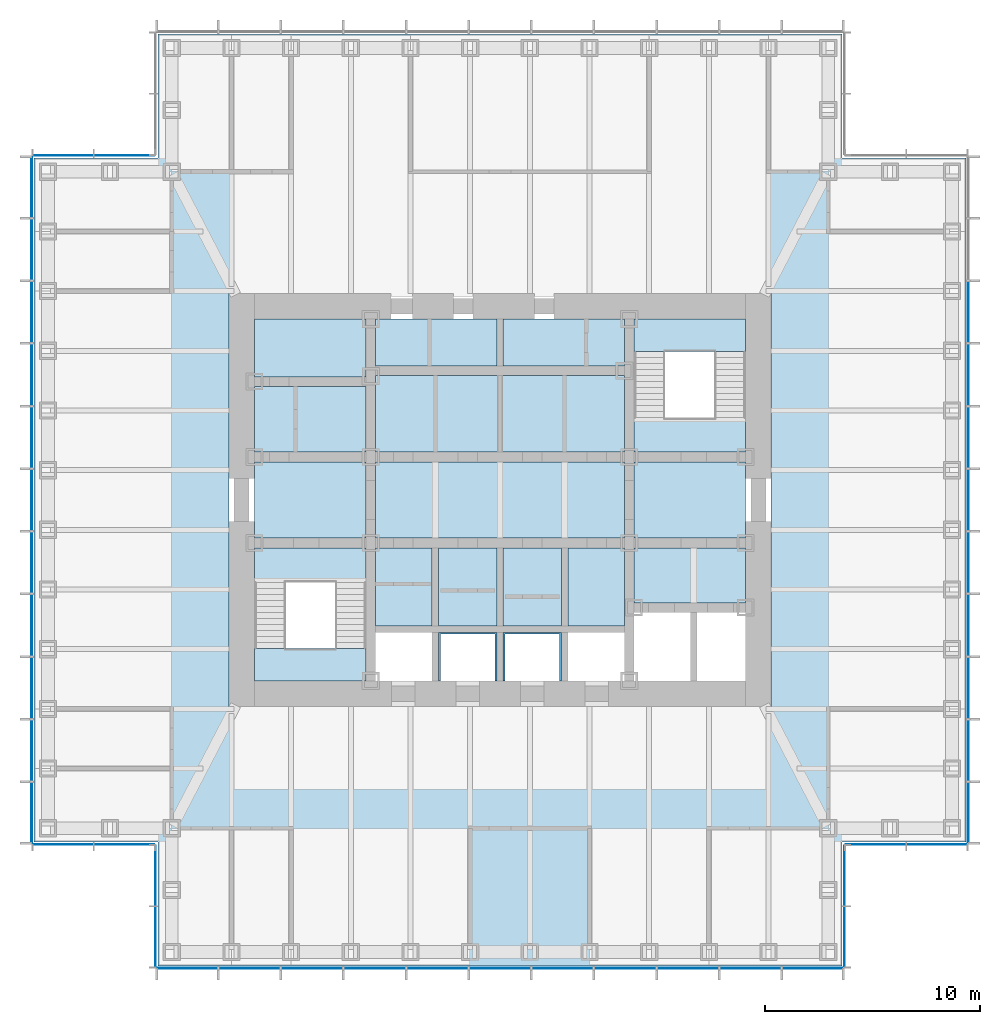
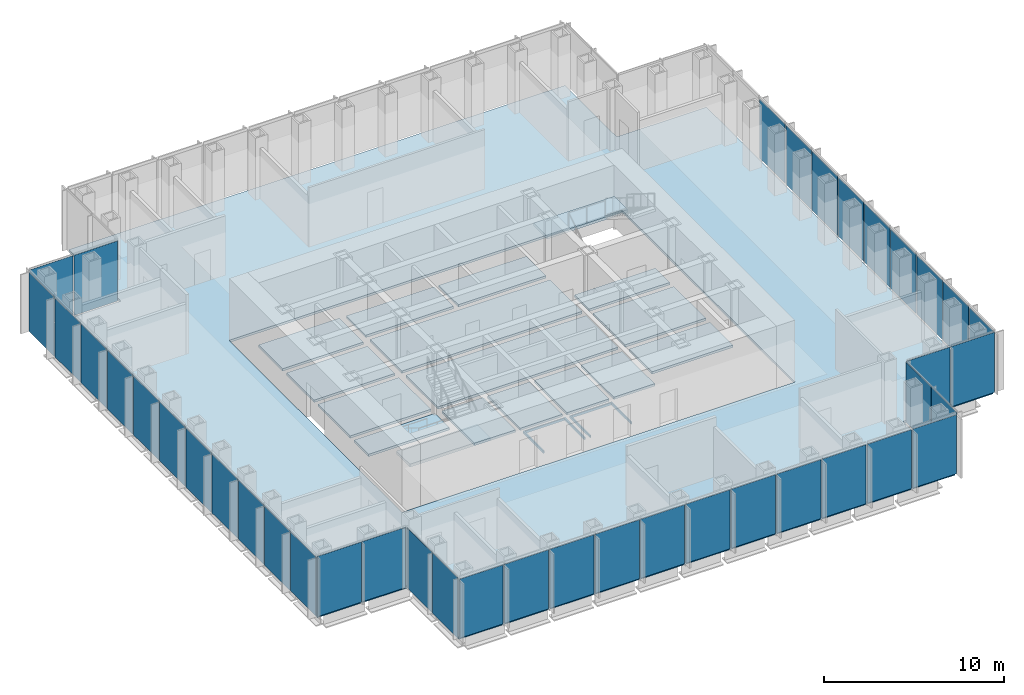
# One storey, part 7 of 16: 41 plates, 20 slabs, 10 elements without a shape of their own.
"""IFC4 building model written with IfcOpenShell, lengths in metres."""

from ifc_helpers import new_model, si_unit, direction, frame, origin, origin_2d, place, context, subcontext, project, spatial, polyline, rectangle, outline, extrude, material, layer, layer_set, type_object, element, aggregate, save


model = new_model("IFC4")

# Units and contexts
model_context = context("Model", 3, precision=1e-05, world=origin(), true_north=direction((0.0, 1.0)))
body_context = subcontext(model_context, "Body", "Model", "MODEL_VIEW")
ifc_project = project(units=[si_unit("LENGTHUNIT", "METRE"), si_unit("AREAUNIT", "SQUARE_METRE"), si_unit("VOLUMEUNIT", "CUBIC_METRE"), si_unit("PLANEANGLEUNIT", "RADIAN"), si_unit("MASSUNIT", "GRAM", prefix="KILO")], contexts=[model_context])

# Site, building, storey
site_placement = place(None, origin())
site = spatial("IfcSite", under=ifc_project, at=site_placement, CompositionType="ELEMENT")
building_placement = place(site_placement, origin())
building = spatial("IfcBuilding", under=site, at=building_placement, Name="Daluyong Arena Tower", CompositionType="ELEMENT")
storey_placement = place(building_placement, frame((0.0, 0.0, 262.89990234375)))
storey = spatial("IfcBuildingStorey", under=building, at=storey_placement, Name="L59", CompositionType="ELEMENT", Elevation=262.89990234375)

# Curtain wall, plates
ifc_material_1 = material(Name="Bronze anodised aluminium and glass", Category="aluminium")
curtain_wall_type_1 = type_object("IfcCurtainWallType", Name="Curtain wall CW4", PredefinedType="USERDEFINED", material=ifc_material_1)
curtain_wall_1_placement = place(storey_placement, origin())
curtain_wall_1 = element("IfcCurtainWall", 1, at=curtain_wall_1_placement, inside=storey, type_object=curtain_wall_type_1, Name="curtain wall L59 S", ObjectType="UNITISED CURTAIN WALL", PredefinedType="USERDEFINED")
ifc_material_2 = material(Name="Tinted laminated double glazed unit", Category="glass")
ifc_layer_1 = layer(ifc_material_2, 0.035888671875)
ifc_layer_set_1 = layer_set([ifc_layer_1], Name="Tinted laminated double glazed unit")
plate_type_1 = type_object("IfcPlateType", Name="CW4 panel 36", PredefinedType="CURTAIN_PANEL", material=ifc_layer_set_1)
plate_1_placement = place(storey_placement, frame((41.47705078125, 58.25, 0.0), z_axis=(0.0, 0.0, 1.0), x_axis=(1.0, 0.0, 0.0)))
plate_1 = element("IfcPlate", 2, at=plate_1_placement, type_object=plate_type_1, Name="curtain wall L59 S panel 1", PredefinedType="CURTAIN_PANEL", context=body_context, shape_type="SweptSolid", body=[
    extrude(rectangle(XDim=2.774169921875, YDim=0.035888671875, at=origin_2d()), origin(), (0.0, 0.0, 1.0), 4.0),
])
plate_2_placement = place(storey_placement, frame((44.363525390625, 58.25, 0.0), z_axis=(0.0, 0.0, 1.0), x_axis=(1.0, 0.0, 0.0)))
plate_2 = element("IfcPlate", 3, at=plate_2_placement, type_object=plate_type_1, Name="curtain wall L59 S panel 2", PredefinedType="CURTAIN_PANEL", context=body_context, shape_type="SweptSolid", body=[
    extrude(rectangle(XDim=2.819091796875, YDim=0.035888671875, at=origin_2d()), origin(), (0.0, 0.0, 1.0), 4.0),
])
plate_3_placement = place(storey_placement, frame((47.272705078125, 58.25, 0.0), z_axis=(0.0, 0.0, 1.0), x_axis=(1.0, 0.0, 0.0)))
plate_3 = element("IfcPlate", 4, at=plate_3_placement, type_object=plate_type_1, Name="curtain wall L59 S panel 3", PredefinedType="CURTAIN_PANEL", context=body_context, shape_type="SweptSolid", body=[
    extrude(rectangle(XDim=2.819091796875, YDim=0.035888671875, at=origin_2d()), origin(), (0.0, 0.0, 1.0), 4.0),
])
plate_4_placement = place(storey_placement, frame((50.181884765625, 58.25, 0.0), z_axis=(0.0, 0.0, 1.0), x_axis=(1.0, 0.0, 0.0)))
plate_4 = element("IfcPlate", 5, at=plate_4_placement, type_object=plate_type_1, Name="curtain wall L59 S panel 4", PredefinedType="CURTAIN_PANEL", context=body_context, shape_type="SweptSolid", body=[
    extrude(rectangle(XDim=2.819091796875, YDim=0.035888671875, at=origin_2d()), origin(), (0.0, 0.0, 1.0), 4.0),
])
plate_5_placement = place(storey_placement, frame((53.0908203125, 58.25, 0.0), z_axis=(0.0, 0.0, 1.0), x_axis=(1.0, 0.0, 0.0)))
plate_5 = element("IfcPlate", 6, at=plate_5_placement, type_object=plate_type_1, Name="curtain wall L59 S panel 5", PredefinedType="CURTAIN_PANEL", context=body_context, shape_type="SweptSolid", body=[
    extrude(rectangle(XDim=2.819091796875, YDim=0.035888671875, at=origin_2d()), origin(), (0.0, 0.0, 1.0), 4.0),
])
plate_6_placement = place(storey_placement, frame((56.0, 58.25, 0.0), z_axis=(0.0, 0.0, 1.0), x_axis=(1.0, 0.0, 0.0)))
plate_6 = element("IfcPlate", 7, at=plate_6_placement, type_object=plate_type_1, Name="curtain wall L59 S panel 6", PredefinedType="CURTAIN_PANEL", context=body_context, shape_type="SweptSolid", body=[
    extrude(rectangle(XDim=2.819091796875, YDim=0.035888671875, at=origin_2d()), origin(), (0.0, 0.0, 1.0), 4.0),
])
plate_7_placement = place(storey_placement, frame((58.9091796875, 58.25, 0.0), z_axis=(0.0, 0.0, 1.0), x_axis=(1.0, 0.0, 0.0)))
plate_7 = element("IfcPlate", 8, at=plate_7_placement, type_object=plate_type_1, Name="curtain wall L59 S panel 7", PredefinedType="CURTAIN_PANEL", context=body_context, shape_type="SweptSolid", body=[
    extrude(rectangle(XDim=2.819091796875, YDim=0.035888671875, at=origin_2d()), origin(), (0.0, 0.0, 1.0), 4.0),
])
plate_8_placement = place(storey_placement, frame((61.818115234375, 58.25, 0.0), z_axis=(0.0, 0.0, 1.0), x_axis=(1.0, 0.0, 0.0)))
plate_8 = element("IfcPlate", 9, at=plate_8_placement, type_object=plate_type_1, Name="curtain wall L59 S panel 8", PredefinedType="CURTAIN_PANEL", context=body_context, shape_type="SweptSolid", body=[
    extrude(rectangle(XDim=2.819091796875, YDim=0.035888671875, at=origin_2d()), origin(), (0.0, 0.0, 1.0), 4.0),
])
plate_9_placement = place(storey_placement, frame((64.727294921875, 58.25, 0.0), z_axis=(0.0, 0.0, 1.0), x_axis=(1.0, 0.0, 0.0)))
plate_9 = element("IfcPlate", 10, at=plate_9_placement, type_object=plate_type_1, Name="curtain wall L59 S panel 9", PredefinedType="CURTAIN_PANEL", context=body_context, shape_type="SweptSolid", body=[
    extrude(rectangle(XDim=2.819091796875, YDim=0.035888671875, at=origin_2d()), origin(), (0.0, 0.0, 1.0), 4.0),
])
plate_10_placement = place(storey_placement, frame((67.636474609375, 58.25, 0.0), z_axis=(0.0, 0.0, 1.0), x_axis=(1.0, 0.0, 0.0)))
plate_10 = element("IfcPlate", 11, at=plate_10_placement, type_object=plate_type_1, Name="curtain wall L59 S panel 10", PredefinedType="CURTAIN_PANEL", context=body_context, shape_type="SweptSolid", body=[
    extrude(rectangle(XDim=2.819091796875, YDim=0.035888671875, at=origin_2d()), origin(), (0.0, 0.0, 1.0), 4.0),
])
plate_11_placement = place(storey_placement, frame((70.52294921875, 58.25, 0.0), z_axis=(0.0, 0.0, 1.0), x_axis=(1.0, 0.0, 0.0)))
plate_11 = element("IfcPlate", 12, at=plate_11_placement, type_object=plate_type_1, Name="curtain wall L59 S panel 11", PredefinedType="CURTAIN_PANEL", context=body_context, shape_type="SweptSolid", body=[
    extrude(rectangle(XDim=2.774169921875, YDim=0.035888671875, at=origin_2d()), origin(), (0.0, 0.0, 1.0), 4.0),
])
aggregate(curtain_wall_1, [plate_1, plate_2, plate_3, plate_4, plate_5, plate_6, plate_7, plate_8, plate_9, plate_10, plate_11])

curtain_wall_2_placement = place(storey_placement, origin())
curtain_wall_2 = element("IfcCurtainWall", 13, at=curtain_wall_2_placement, inside=storey, type_object=curtain_wall_type_1, Name="curtain wall L59 E", ObjectType="UNITISED CURTAIN WALL", PredefinedType="USERDEFINED")
plate_12_placement = place(storey_placement, frame((77.75, 65.47705078125, 0.0), z_axis=(0.0, 0.0, 1.0), x_axis=(0.0, 1.0, 0.0)))
plate_12 = element("IfcPlate", 14, at=plate_12_placement, type_object=plate_type_1, Name="curtain wall L59 E panel 1", PredefinedType="CURTAIN_PANEL", context=body_context, shape_type="SweptSolid", body=[
    extrude(rectangle(XDim=2.774169921875, YDim=0.035888671875, at=origin_2d()), origin(), (0.0, 0.0, 1.0), 4.0),
])
plate_13_placement = place(storey_placement, frame((77.75, 68.363525390625, 0.0), z_axis=(0.0, 0.0, 1.0), x_axis=(0.0, 1.0, 0.0)))
plate_13 = element("IfcPlate", 15, at=plate_13_placement, type_object=plate_type_1, Name="curtain wall L59 E panel 2", PredefinedType="CURTAIN_PANEL", context=body_context, shape_type="SweptSolid", body=[
    extrude(rectangle(XDim=2.819091796875, YDim=0.035888671875, at=origin_2d()), origin(), (0.0, 0.0, 1.0), 4.0),
])
plate_14_placement = place(storey_placement, frame((77.75, 71.272705078125, 0.0), z_axis=(0.0, 0.0, 1.0), x_axis=(0.0, 1.0, 0.0)))
plate_14 = element("IfcPlate", 16, at=plate_14_placement, type_object=plate_type_1, Name="curtain wall L59 E panel 3", PredefinedType="CURTAIN_PANEL", context=body_context, shape_type="SweptSolid", body=[
    extrude(rectangle(XDim=2.819091796875, YDim=0.035888671875, at=origin_2d()), origin(), (0.0, 0.0, 1.0), 4.0),
])
plate_15_placement = place(storey_placement, frame((77.75, 74.181884765625, 0.0), z_axis=(0.0, 0.0, 1.0), x_axis=(0.0, 1.0, 0.0)))
plate_15 = element("IfcPlate", 17, at=plate_15_placement, type_object=plate_type_1, Name="curtain wall L59 E panel 4", PredefinedType="CURTAIN_PANEL", context=body_context, shape_type="SweptSolid", body=[
    extrude(rectangle(XDim=2.819091796875, YDim=0.035888671875, at=origin_2d()), origin(), (0.0, 0.0, 1.0), 4.0),
])
plate_16_placement = place(storey_placement, frame((77.75, 77.0908203125, 0.0), z_axis=(0.0, 0.0, 1.0), x_axis=(0.0, 1.0, 0.0)))
plate_16 = element("IfcPlate", 18, at=plate_16_placement, type_object=plate_type_1, Name="curtain wall L59 E panel 5", PredefinedType="CURTAIN_PANEL", context=body_context, shape_type="SweptSolid", body=[
    extrude(rectangle(XDim=2.819091796875, YDim=0.035888671875, at=origin_2d()), origin(), (0.0, 0.0, 1.0), 4.0),
])
plate_17_placement = place(storey_placement, frame((77.75, 80.0, 0.0), z_axis=(0.0, 0.0, 1.0), x_axis=(0.0, 1.0, 0.0)))
plate_17 = element("IfcPlate", 19, at=plate_17_placement, type_object=plate_type_1, Name="curtain wall L59 E panel 6", PredefinedType="CURTAIN_PANEL", context=body_context, shape_type="SweptSolid", body=[
    extrude(rectangle(XDim=2.819091796875, YDim=0.035888671875, at=origin_2d()), origin(), (0.0, 0.0, 1.0), 4.0),
])
plate_18_placement = place(storey_placement, frame((77.75, 82.9091796875, 0.0), z_axis=(0.0, 0.0, 1.0), x_axis=(0.0, 1.0, 0.0)))
plate_18 = element("IfcPlate", 20, at=plate_18_placement, type_object=plate_type_1, Name="curtain wall L59 E panel 7", PredefinedType="CURTAIN_PANEL", context=body_context, shape_type="SweptSolid", body=[
    extrude(rectangle(XDim=2.819091796875, YDim=0.035888671875, at=origin_2d()), origin(), (0.0, 0.0, 1.0), 4.0),
])
plate_19_placement = place(storey_placement, frame((77.75, 85.818115234375, 0.0), z_axis=(0.0, 0.0, 1.0), x_axis=(0.0, 1.0, 0.0)))
plate_19 = element("IfcPlate", 21, at=plate_19_placement, type_object=plate_type_1, Name="curtain wall L59 E panel 8", PredefinedType="CURTAIN_PANEL", context=body_context, shape_type="SweptSolid", body=[
    extrude(rectangle(XDim=2.819091796875, YDim=0.035888671875, at=origin_2d()), origin(), (0.0, 0.0, 1.0), 4.0),
])
plate_20_placement = place(storey_placement, frame((77.75, 88.727294921875, 0.0), z_axis=(0.0, 0.0, 1.0), x_axis=(0.0, 1.0, 0.0)))
plate_20 = element("IfcPlate", 22, at=plate_20_placement, type_object=plate_type_1, Name="curtain wall L59 E panel 9", PredefinedType="CURTAIN_PANEL", context=body_context, shape_type="SweptSolid", body=[
    extrude(rectangle(XDim=2.819091796875, YDim=0.035888671875, at=origin_2d()), origin(), (0.0, 0.0, 1.0), 4.0),
])
aggregate(curtain_wall_2, [plate_12, plate_13, plate_14, plate_15, plate_16, plate_17, plate_18, plate_19, plate_20])

curtain_wall_3_placement = place(storey_placement, origin())
curtain_wall_3 = element("IfcCurtainWall", 23, at=curtain_wall_3_placement, inside=storey, type_object=curtain_wall_type_1, Name="curtain wall L59 W", ObjectType="UNITISED CURTAIN WALL", PredefinedType="USERDEFINED")
plate_21_placement = place(storey_placement, frame((34.25, 94.52294921875, 0.0), z_axis=(0.0, 0.0, 1.0), x_axis=(0.0, -1.0, 0.0)))
plate_21 = element("IfcPlate", 24, at=plate_21_placement, type_object=plate_type_1, Name="curtain wall L59 W panel 1", PredefinedType="CURTAIN_PANEL", context=body_context, shape_type="SweptSolid", body=[
    extrude(rectangle(XDim=2.774169921875, YDim=0.035888671875, at=origin_2d()), origin(), (0.0, 0.0, 1.0), 4.0),
])
plate_22_placement = place(storey_placement, frame((34.25, 91.636474609375, 0.0), z_axis=(0.0, 0.0, 1.0), x_axis=(0.0, -1.0, 0.0)))
plate_22 = element("IfcPlate", 25, at=plate_22_placement, type_object=plate_type_1, Name="curtain wall L59 W panel 2", PredefinedType="CURTAIN_PANEL", context=body_context, shape_type="SweptSolid", body=[
    extrude(rectangle(XDim=2.819091796875, YDim=0.035888671875, at=origin_2d()), origin(), (0.0, 0.0, 1.0), 4.0),
])
plate_23_placement = place(storey_placement, frame((34.25, 88.727294921875, 0.0), z_axis=(0.0, 0.0, 1.0), x_axis=(0.0, -1.0, 0.0)))
plate_23 = element("IfcPlate", 26, at=plate_23_placement, type_object=plate_type_1, Name="curtain wall L59 W panel 3", PredefinedType="CURTAIN_PANEL", context=body_context, shape_type="SweptSolid", body=[
    extrude(rectangle(XDim=2.819091796875, YDim=0.035888671875, at=origin_2d()), origin(), (0.0, 0.0, 1.0), 4.0),
])
plate_24_placement = place(storey_placement, frame((34.25, 85.818115234375, 0.0), z_axis=(0.0, 0.0, 1.0), x_axis=(0.0, -1.0, 0.0)))
plate_24 = element("IfcPlate", 27, at=plate_24_placement, type_object=plate_type_1, Name="curtain wall L59 W panel 4", PredefinedType="CURTAIN_PANEL", context=body_context, shape_type="SweptSolid", body=[
    extrude(rectangle(XDim=2.819091796875, YDim=0.035888671875, at=origin_2d()), origin(), (0.0, 0.0, 1.0), 4.0),
])
plate_25_placement = place(storey_placement, frame((34.25, 82.9091796875, 0.0), z_axis=(0.0, 0.0, 1.0), x_axis=(0.0, -1.0, 0.0)))
plate_25 = element("IfcPlate", 28, at=plate_25_placement, type_object=plate_type_1, Name="curtain wall L59 W panel 5", PredefinedType="CURTAIN_PANEL", context=body_context, shape_type="SweptSolid", body=[
    extrude(rectangle(XDim=2.819091796875, YDim=0.035888671875, at=origin_2d()), origin(), (0.0, 0.0, 1.0), 4.0),
])
plate_26_placement = place(storey_placement, frame((34.25, 80.0, 0.0), z_axis=(0.0, 0.0, 1.0), x_axis=(0.0, -1.0, 0.0)))
plate_26 = element("IfcPlate", 29, at=plate_26_placement, type_object=plate_type_1, Name="curtain wall L59 W panel 6", PredefinedType="CURTAIN_PANEL", context=body_context, shape_type="SweptSolid", body=[
    extrude(rectangle(XDim=2.819091796875, YDim=0.035888671875, at=origin_2d()), origin(), (0.0, 0.0, 1.0), 4.0),
])
plate_27_placement = place(storey_placement, frame((34.25, 77.0908203125, 0.0), z_axis=(0.0, 0.0, 1.0), x_axis=(0.0, -1.0, 0.0)))
plate_27 = element("IfcPlate", 30, at=plate_27_placement, type_object=plate_type_1, Name="curtain wall L59 W panel 7", PredefinedType="CURTAIN_PANEL", context=body_context, shape_type="SweptSolid", body=[
    extrude(rectangle(XDim=2.819091796875, YDim=0.035888671875, at=origin_2d()), origin(), (0.0, 0.0, 1.0), 4.0),
])
plate_28_placement = place(storey_placement, frame((34.25, 74.181884765625, 0.0), z_axis=(0.0, 0.0, 1.0), x_axis=(0.0, -1.0, 0.0)))
plate_28 = element("IfcPlate", 31, at=plate_28_placement, type_object=plate_type_1, Name="curtain wall L59 W panel 8", PredefinedType="CURTAIN_PANEL", context=body_context, shape_type="SweptSolid", body=[
    extrude(rectangle(XDim=2.819091796875, YDim=0.035888671875, at=origin_2d()), origin(), (0.0, 0.0, 1.0), 4.0),
])
plate_29_placement = place(storey_placement, frame((34.25, 71.272705078125, 0.0), z_axis=(0.0, 0.0, 1.0), x_axis=(0.0, -1.0, 0.0)))
plate_29 = element("IfcPlate", 32, at=plate_29_placement, type_object=plate_type_1, Name="curtain wall L59 W panel 9", PredefinedType="CURTAIN_PANEL", context=body_context, shape_type="SweptSolid", body=[
    extrude(rectangle(XDim=2.819091796875, YDim=0.035888671875, at=origin_2d()), origin(), (0.0, 0.0, 1.0), 4.0),
])
plate_30_placement = place(storey_placement, frame((34.25, 68.363525390625, 0.0), z_axis=(0.0, 0.0, 1.0), x_axis=(0.0, -1.0, 0.0)))
plate_30 = element("IfcPlate", 33, at=plate_30_placement, type_object=plate_type_1, Name="curtain wall L59 W panel 10", PredefinedType="CURTAIN_PANEL", context=body_context, shape_type="SweptSolid", body=[
    extrude(rectangle(XDim=2.819091796875, YDim=0.035888671875, at=origin_2d()), origin(), (0.0, 0.0, 1.0), 4.0),
])
plate_31_placement = place(storey_placement, frame((34.25, 65.47705078125, 0.0), z_axis=(0.0, 0.0, 1.0), x_axis=(0.0, -1.0, 0.0)))
plate_31 = element("IfcPlate", 34, at=plate_31_placement, type_object=plate_type_1, Name="curtain wall L59 W panel 11", PredefinedType="CURTAIN_PANEL", context=body_context, shape_type="SweptSolid", body=[
    extrude(rectangle(XDim=2.774169921875, YDim=0.035888671875, at=origin_2d()), origin(), (0.0, 0.0, 1.0), 4.0),
])
aggregate(curtain_wall_3, [plate_21, plate_22, plate_23, plate_24, plate_25, plate_26, plate_27, plate_28, plate_29, plate_30, plate_31])

ifc_material_3 = material(Name="Bronze anodised aluminium and glass", Category="aluminium")
curtain_wall_type_2 = type_object("IfcCurtainWallType", Name="Curtain wall CW7", PredefinedType="USERDEFINED", material=ifc_material_3)
curtain_wall_4_placement = place(storey_placement, origin())
curtain_wall_4 = element("IfcCurtainWall", 35, at=curtain_wall_4_placement, inside=storey, type_object=curtain_wall_type_2, Name="curtain wall L59 SE-E", ObjectType="UNITISED CURTAIN WALL", PredefinedType="USERDEFINED")
ifc_material_4 = material(Name="Tinted double glazed unit", Category="glass")
ifc_layer_2 = layer(ifc_material_4, 0.028076171875)
ifc_layer_set_2 = layer_set([ifc_layer_2], Name="Tinted double glazed unit")
plate_type_2 = type_object("IfcPlateType", Name="CW7 panel 28", PredefinedType="CURTAIN_PANEL", material=ifc_layer_set_2)
plate_32_placement = place(storey_placement, frame((72.0, 59.702392578125, 0.0), z_axis=(0.0, 0.0, 1.0), x_axis=(0.0, 1.0, 0.0)))
plate_32 = element("IfcPlate", 36, at=plate_32_placement, type_object=plate_type_2, Name="curtain wall L59 SE-E panel 1", PredefinedType="CURTAIN_PANEL", context=body_context, shape_type="SweptSolid", body=[
    extrude(rectangle(XDim=2.784912109375, YDim=0.028076171875, at=origin_2d()), origin(), (0.0, 0.0, 1.0), 4.080078125),
])
plate_33_placement = place(storey_placement, frame((72.0, 62.547607421875, 0.0), z_axis=(0.0, 0.0, 1.0), x_axis=(0.0, 1.0, 0.0)))
plate_33 = element("IfcPlate", 37, at=plate_33_placement, type_object=plate_type_2, Name="curtain wall L59 SE-E panel 2", PredefinedType="CURTAIN_PANEL", context=body_context, shape_type="SweptSolid", body=[
    extrude(rectangle(XDim=2.784912109375, YDim=0.028076171875, at=origin_2d()), origin(), (0.0, 0.0, 1.0), 4.080078125),
])
aggregate(curtain_wall_4, [plate_32, plate_33])

curtain_wall_5_placement = place(storey_placement, origin())
curtain_wall_5 = element("IfcCurtainWall", 38, at=curtain_wall_5_placement, inside=storey, type_object=curtain_wall_type_2, Name="curtain wall L59 SE-S", ObjectType="UNITISED CURTAIN WALL", PredefinedType="USERDEFINED")
plate_34_placement = place(storey_placement, frame((73.452392578125, 64.0, 0.0), z_axis=(0.0, 0.0, 1.0), x_axis=(1.0, 0.0, 0.0)))
plate_34 = element("IfcPlate", 39, at=plate_34_placement, type_object=plate_type_2, Name="curtain wall L59 SE-S panel 1", PredefinedType="CURTAIN_PANEL", context=body_context, shape_type="SweptSolid", body=[
    extrude(rectangle(XDim=2.784912109375, YDim=0.028076171875, at=origin_2d()), origin(), (0.0, 0.0, 1.0), 4.080078125),
])
plate_35_placement = place(storey_placement, frame((76.297607421875, 64.0, 0.0), z_axis=(0.0, 0.0, 1.0), x_axis=(1.0, 0.0, 0.0)))
plate_35 = element("IfcPlate", 40, at=plate_35_placement, type_object=plate_type_2, Name="curtain wall L59 SE-S panel 2", PredefinedType="CURTAIN_PANEL", context=body_context, shape_type="SweptSolid", body=[
    extrude(rectangle(XDim=2.784912109375, YDim=0.028076171875, at=origin_2d()), origin(), (0.0, 0.0, 1.0), 4.080078125),
])
aggregate(curtain_wall_5, [plate_34, plate_35])

curtain_wall_6_placement = place(storey_placement, origin())
curtain_wall_6 = element("IfcCurtainWall", 41, at=curtain_wall_6_placement, inside=storey, type_object=curtain_wall_type_2, Name="curtain wall L59 NW-N", ObjectType="UNITISED CURTAIN WALL", PredefinedType="USERDEFINED")
plate_36_placement = place(storey_placement, frame((38.547607421875, 96.0, 0.0), z_axis=(0.0, 0.0, 1.0), x_axis=(-1.0, 0.0, 0.0)))
plate_36 = element("IfcPlate", 42, at=plate_36_placement, type_object=plate_type_2, Name="curtain wall L59 NW-N panel 1", PredefinedType="CURTAIN_PANEL", context=body_context, shape_type="SweptSolid", body=[
    extrude(rectangle(XDim=2.784912109375, YDim=0.028076171875, at=origin_2d()), origin(), (0.0, 0.0, 1.0), 4.080078125),
])
plate_37_placement = place(storey_placement, frame((35.702392578125, 96.0, 0.0), z_axis=(0.0, 0.0, 1.0), x_axis=(-1.0, 0.0, 0.0)))
plate_37 = element("IfcPlate", 43, at=plate_37_placement, type_object=plate_type_2, Name="curtain wall L59 NW-N panel 2", PredefinedType="CURTAIN_PANEL", context=body_context, shape_type="SweptSolid", body=[
    extrude(rectangle(XDim=2.784912109375, YDim=0.028076171875, at=origin_2d()), origin(), (0.0, 0.0, 1.0), 4.080078125),
])
aggregate(curtain_wall_6, [plate_36, plate_37])

curtain_wall_7_placement = place(storey_placement, origin())
curtain_wall_7 = element("IfcCurtainWall", 44, at=curtain_wall_7_placement, inside=storey, type_object=curtain_wall_type_2, Name="curtain wall L59 SW-S", ObjectType="UNITISED CURTAIN WALL", PredefinedType="USERDEFINED")
plate_38_placement = place(storey_placement, frame((35.702392578125, 64.0, 0.0), z_axis=(0.0, 0.0, 1.0), x_axis=(1.0, 0.0, 0.0)))
plate_38 = element("IfcPlate", 45, at=plate_38_placement, type_object=plate_type_2, Name="curtain wall L59 SW-S panel 1", PredefinedType="CURTAIN_PANEL", context=body_context, shape_type="SweptSolid", body=[
    extrude(rectangle(XDim=2.784912109375, YDim=0.028076171875, at=origin_2d()), origin(), (0.0, 0.0, 1.0), 4.080078125),
])
plate_39_placement = place(storey_placement, frame((38.547607421875, 64.0, 0.0), z_axis=(0.0, 0.0, 1.0), x_axis=(1.0, 0.0, 0.0)))
plate_39 = element("IfcPlate", 46, at=plate_39_placement, type_object=plate_type_2, Name="curtain wall L59 SW-S panel 2", PredefinedType="CURTAIN_PANEL", context=body_context, shape_type="SweptSolid", body=[
    extrude(rectangle(XDim=2.784912109375, YDim=0.028076171875, at=origin_2d()), origin(), (0.0, 0.0, 1.0), 4.080078125),
])
aggregate(curtain_wall_7, [plate_38, plate_39])

curtain_wall_8_placement = place(storey_placement, origin())
curtain_wall_8 = element("IfcCurtainWall", 47, at=curtain_wall_8_placement, inside=storey, type_object=curtain_wall_type_2, Name="curtain wall L59 SW-W", ObjectType="UNITISED CURTAIN WALL", PredefinedType="USERDEFINED")
plate_40_placement = place(storey_placement, frame((40.0, 62.547607421875, 0.0), z_axis=(0.0, 0.0, 1.0), x_axis=(0.0, -1.0, 0.0)))
plate_40 = element("IfcPlate", 48, at=plate_40_placement, type_object=plate_type_2, Name="curtain wall L59 SW-W panel 1", PredefinedType="CURTAIN_PANEL", context=body_context, shape_type="SweptSolid", body=[
    extrude(rectangle(XDim=2.784912109375, YDim=0.028076171875, at=origin_2d()), origin(), (0.0, 0.0, 1.0), 4.080078125),
])
plate_41_placement = place(storey_placement, frame((40.0, 59.702392578125, 0.0), z_axis=(0.0, 0.0, 1.0), x_axis=(0.0, -1.0, 0.0)))
plate_41 = element("IfcPlate", 49, at=plate_41_placement, type_object=plate_type_2, Name="curtain wall L59 SW-W panel 2", PredefinedType="CURTAIN_PANEL", context=body_context, shape_type="SweptSolid", body=[
    extrude(rectangle(XDim=2.784912109375, YDim=0.028076171875, at=origin_2d()), origin(), (0.0, 0.0, 1.0), 4.080078125),
])
aggregate(curtain_wall_8, [plate_40, plate_41])

# Stair, slab
ifc_material_5 = material(Name="Concrete fc' 35 MPa", Category="concrete")
stair_type = type_object("IfcStairType", Name="Core exit stair", PredefinedType="HALF_TURN_STAIR", material=ifc_material_5)
stair_1_placement = place(storey_placement, origin())
stair_1 = element("IfcStair", 50, at=stair_1_placement, inside=storey, type_object=stair_type, Name="exit stair A L59", PredefinedType="HALF_TURN_STAIR")
ifc_material_6 = material(Name="Concrete fc' 35 MPa", Category="concrete")
ifc_layer_3 = layer(ifc_material_6, 0.199951171875)
ifc_layer_set_3 = layer_set([ifc_layer_3], Name="Concrete fc' 35 MPa")
slab_type_1 = type_object("IfcSlabType", Name="Stair landing 200", PredefinedType="LANDING", material=ifc_layer_set_3)
slab_1_placement = place(storey_placement, frame((0.0, 0.0, 1.900146484375)))
slab_1 = element("IfcSlab", 51, at=slab_1_placement, type_object=slab_type_1, Name="STA landing 1", PredefinedType="LANDING", context=body_context, shape_type="SweptSolid", body=[
    extrude(outline(polyline([(44.60009765625, 71.60009765625), (49.77490234375, 71.60009765625), (49.77490234375, 73.094970703125), (44.60009765625, 73.094970703125), (44.60009765625, 71.60009765625)])), origin(), (0.0, 0.0, 1.0), 0.199951171875),
])
aggregate(stair_1, [slab_1])

stair_2_placement = place(storey_placement, origin())
stair_2 = element("IfcStair", 52, at=stair_2_placement, inside=storey, type_object=stair_type, Name="exit stair B L59", PredefinedType="HALF_TURN_STAIR")
slab_2_placement = place(storey_placement, frame((0.0, 0.0, 1.900146484375)))
slab_2 = element("IfcSlab", 53, at=slab_2_placement, type_object=slab_type_1, Name="STB landing 1", PredefinedType="LANDING", context=body_context, shape_type="SweptSolid", body=[
    extrude(outline(polyline([(62.22509765625, 86.905029296875), (67.39990234375, 86.905029296875), (67.39990234375, 88.39990234375), (62.22509765625, 88.39990234375), (62.22509765625, 86.905029296875)])), origin(), (0.0, 0.0, 1.0), 0.199951171875),
])
aggregate(stair_2, [slab_2])

# Slabs
ifc_material_7 = material(Name="Concrete fc' 35 MPa", Category="concrete")
ifc_layer_4 = layer(ifc_material_7, 0.159912109375)
ifc_layer_set_4 = layer_set([ifc_layer_4], Name="Concrete fc' 35 MPa")
slab_type_2 = type_object("IfcSlabType", Name="Tower floor slab 160", PredefinedType="FLOOR", material=ifc_layer_set_4)
slab_3_placement = place(storey_placement, frame((0.0, 0.0, -0.159912109375)))
element("IfcSlab", 54, at=slab_3_placement, inside=storey, type_object=slab_type_2, Name="floor L59 part 1", PredefinedType="FLOOR", context=body_context, shape_type="SweptSolid", body=[
    extrude(outline(polyline([(49.77490234375, 77.77490234375), (44.60009765625, 77.77490234375), (44.60009765625, 76.175048828125), (49.77490234375, 76.175048828125), (49.77490234375, 77.77490234375)])), origin(), (0.0, 0.0, 1.0), 0.159912109375),
])
slab_4_placement = place(storey_placement, frame((0.0, 0.0, -0.159912109375)))
element("IfcSlab", 55, at=slab_4_placement, inside=storey, type_object=slab_type_2, Name="floor L59 part 2", PredefinedType="FLOOR", context=body_context, shape_type="SweptSolid", body=[
    extrude(outline(polyline([(49.77490234375, 78.22509765625), (49.77490234375, 81.77490234375), (44.60009765625, 81.77490234375), (44.60009765625, 78.22509765625), (49.77490234375, 78.22509765625)])), origin(), (0.0, 0.0, 1.0), 0.159912109375),
])
slab_5_placement = place(storey_placement, frame((0.0, 0.0, -0.159912109375)))
element("IfcSlab", 56, at=slab_5_placement, inside=storey, type_object=slab_type_2, Name="floor L59 part 3", PredefinedType="FLOOR", context=body_context, shape_type="SweptSolid", body=[
    extrude(outline(polyline([(44.60009765625, 85.27490234375), (44.60009765625, 82.22509765625), (49.77490234375, 82.22509765625), (49.77490234375, 85.27490234375), (44.60009765625, 85.27490234375)])), origin(), (0.0, 0.0, 1.0), 0.159912109375),
])
slab_6_placement = place(storey_placement, frame((0.0, 0.0, -0.159912109375)))
element("IfcSlab", 57, at=slab_6_placement, inside=storey, type_object=slab_type_2, Name="floor L59 part 4", PredefinedType="FLOOR", context=body_context, shape_type="SweptSolid", body=[
    extrude(outline(polyline([(44.60009765625, 88.39990234375), (44.60009765625, 85.72509765625), (49.77490234375, 85.72509765625), (49.77490234375, 88.39990234375), (44.60009765625, 88.39990234375)])), origin(), (0.0, 0.0, 1.0), 0.159912109375),
])
slab_7_placement = place(storey_placement, frame((0.0, 0.0, -0.159912109375)))
element("IfcSlab", 58, at=slab_7_placement, inside=storey, type_object=slab_type_2, Name="floor L59 part 5", PredefinedType="FLOOR", context=body_context, shape_type="SweptSolid", body=[
    extrude(outline(polyline([(52.85009765625, 74.14990234375), (52.85009765625, 77.77490234375), (50.22509765625, 77.77490234375), (50.22509765625, 74.14990234375), (52.85009765625, 74.14990234375)])), origin(), (0.0, 0.0, 1.0), 0.159912109375),
])
slab_8_placement = place(storey_placement, frame((0.0, 0.0, -0.159912109375)))
element("IfcSlab", 59, at=slab_8_placement, inside=storey, type_object=slab_type_2, Name="floor L59 part 6", PredefinedType="FLOOR", context=body_context, shape_type="SweptSolid", body=[
    extrude(outline(polyline([(50.22509765625, 88.39990234375), (50.22509765625, 86.22509765625), (55.85009765625, 86.22509765625), (55.85009765625, 88.39990234375), (50.22509765625, 88.39990234375)])), origin(), (0.0, 0.0, 1.0), 0.159912109375),
])
slab_9_placement = place(storey_placement, frame((0.0, 0.0, -0.159912109375)))
element("IfcSlab", 60, at=slab_9_placement, inside=storey, type_object=slab_type_2, Name="floor L59 part 7", PredefinedType="FLOOR", context=body_context, shape_type="SweptSolid", body=[
    extrude(outline(polyline([(53.22509765625, 71.60009765625), (53.22509765625, 73.77490234375), (55.77490234375, 73.77490234375), (55.77490234375, 71.60009765625), (55.85009765625, 71.60009765625), (55.85009765625, 73.85009765625), (53.14990234375, 73.85009765625), (53.14990234375, 71.60009765625), (53.22509765625, 71.60009765625)])), origin(), (0.0, 0.0, 1.0), 0.159912109375),
])
slab_10_placement = place(storey_placement, frame((0.0, 0.0, -0.159912109375)))
element("IfcSlab", 61, at=slab_10_placement, inside=storey, type_object=slab_type_2, Name="floor L59 part 8", PredefinedType="FLOOR", context=body_context, shape_type="SweptSolid", body=[
    extrude(outline(polyline([(53.14990234375, 74.14990234375), (55.85009765625, 74.14990234375), (55.85009765625, 77.77490234375), (53.14990234375, 77.77490234375), (53.14990234375, 74.14990234375)])), origin(), (0.0, 0.0, 1.0), 0.159912109375),
])
slab_11_placement = place(storey_placement, frame((0.0, 0.0, -0.159912109375)))
element("IfcSlab", 62, at=slab_11_placement, inside=storey, type_object=slab_type_2, Name="floor L59 part 9", PredefinedType="FLOOR", context=body_context, shape_type="SweptSolid", body=[
    extrude(outline(polyline([(40.10009765625, 64.10009765625), (40.10009765625, 58.35009765625), (71.89990234375, 58.35009765625), (71.89990234375, 64.10009765625), (77.64990234375, 64.10009765625), (77.64990234375, 95.89990234375), (71.89990234375, 95.89990234375), (71.89990234375, 101.64990234375), (40.10009765625, 101.64990234375), (40.10009765625, 95.89990234375), (34.35009765625, 95.89990234375), (34.35009765625, 64.10009765625), (40.10009765625, 64.10009765625)]), holes=[polyline([(68.60009765625, 89.60009765625), (68.60009765625, 70.39990234375), (43.39990234375, 70.39990234375), (43.39990234375, 89.60009765625), (68.60009765625, 89.60009765625)])]), origin(), (0.0, 0.0, 1.0), 0.159912109375),
])
slab_12_placement = place(storey_placement, frame((0.0, 0.0, -0.159912109375)))
element("IfcSlab", 63, at=slab_12_placement, inside=storey, type_object=slab_type_2, Name="floor L59 part 10", PredefinedType="FLOOR", context=body_context, shape_type="SweptSolid", body=[
    extrude(outline(polyline([(50.22509765625, 81.77490234375), (50.22509765625, 78.22509765625), (61.77490234375, 78.22509765625), (61.77490234375, 81.77490234375), (50.22509765625, 81.77490234375)])), origin(), (0.0, 0.0, 1.0), 0.159912109375),
])
slab_13_placement = place(storey_placement, frame((0.0, 0.0, -0.159912109375)))
element("IfcSlab", 64, at=slab_13_placement, inside=storey, type_object=slab_type_2, Name="floor L59 part 11", PredefinedType="FLOOR", context=body_context, shape_type="SweptSolid", body=[
    extrude(outline(polyline([(50.22509765625, 85.77490234375), (50.22509765625, 82.22509765625), (61.77490234375, 82.22509765625), (61.77490234375, 85.77490234375), (50.22509765625, 85.77490234375)])), origin(), (0.0, 0.0, 1.0), 0.159912109375),
])
slab_14_placement = place(storey_placement, frame((0.0, 0.0, -0.159912109375)))
element("IfcSlab", 65, at=slab_14_placement, inside=storey, type_object=slab_type_2, Name="floor L59 part 12", PredefinedType="FLOOR", context=body_context, shape_type="SweptSolid", body=[
    extrude(outline(polyline([(56.22509765625, 71.60009765625), (56.22509765625, 73.77490234375), (58.77490234375, 73.77490234375), (58.77490234375, 71.60009765625), (58.85009765625, 71.60009765625), (58.85009765625, 73.85009765625), (56.14990234375, 73.85009765625), (56.14990234375, 71.60009765625), (56.22509765625, 71.60009765625)])), origin(), (0.0, 0.0, 1.0), 0.159912109375),
])
slab_15_placement = place(storey_placement, frame((0.0, 0.0, -0.159912109375)))
element("IfcSlab", 66, at=slab_15_placement, inside=storey, type_object=slab_type_2, Name="floor L59 part 13", PredefinedType="FLOOR", context=body_context, shape_type="SweptSolid", body=[
    extrude(outline(polyline([(58.85009765625, 77.77490234375), (56.14990234375, 77.77490234375), (56.14990234375, 74.14990234375), (58.85009765625, 74.14990234375), (58.85009765625, 77.77490234375)])), origin(), (0.0, 0.0, 1.0), 0.159912109375),
])
slab_16_placement = place(storey_placement, frame((0.0, 0.0, -0.159912109375)))
element("IfcSlab", 67, at=slab_16_placement, inside=storey, type_object=slab_type_2, Name="floor L59 part 14", PredefinedType="FLOOR", context=body_context, shape_type="SweptSolid", body=[
    extrude(outline(polyline([(56.14990234375, 88.39990234375), (56.14990234375, 86.22509765625), (61.77490234375, 86.22509765625), (61.77490234375, 88.39990234375), (56.14990234375, 88.39990234375)])), origin(), (0.0, 0.0, 1.0), 0.159912109375),
])
slab_17_placement = place(storey_placement, frame((0.0, 0.0, -0.159912109375)))
element("IfcSlab", 68, at=slab_17_placement, inside=storey, type_object=slab_type_2, Name="floor L59 part 15", PredefinedType="FLOOR", context=body_context, shape_type="SweptSolid", body=[
    extrude(outline(polyline([(61.77490234375, 77.77490234375), (59.14990234375, 77.77490234375), (59.14990234375, 74.14990234375), (61.77490234375, 74.14990234375), (61.77490234375, 77.77490234375)])), origin(), (0.0, 0.0, 1.0), 0.159912109375),
])
slab_18_placement = place(storey_placement, frame((0.0, 0.0, -0.159912109375)))
element("IfcSlab", 69, at=slab_18_placement, inside=storey, type_object=slab_type_2, Name="floor L59 part 16", PredefinedType="FLOOR", context=body_context, shape_type="SweptSolid", body=[
    extrude(outline(polyline([(67.39990234375, 75.22509765625), (67.39990234375, 77.77490234375), (62.22509765625, 77.77490234375), (62.22509765625, 75.22509765625), (67.39990234375, 75.22509765625)])), origin(), (0.0, 0.0, 1.0), 0.159912109375),
])
slab_19_placement = place(storey_placement, frame((0.0, 0.0, -0.159912109375)))
element("IfcSlab", 70, at=slab_19_placement, inside=storey, type_object=slab_type_2, Name="floor L59 part 17", PredefinedType="FLOOR", context=body_context, shape_type="SweptSolid", body=[
    extrude(outline(polyline([(67.39990234375, 78.22509765625), (67.39990234375, 81.77490234375), (62.22509765625, 81.77490234375), (62.22509765625, 78.22509765625), (67.39990234375, 78.22509765625)])), origin(), (0.0, 0.0, 1.0), 0.159912109375),
])
slab_20_placement = place(storey_placement, frame((0.0, 0.0, -0.159912109375)))
element("IfcSlab", 71, at=slab_20_placement, inside=storey, type_object=slab_type_2, Name="floor L59 part 18", PredefinedType="FLOOR", context=body_context, shape_type="SweptSolid", body=[
    extrude(outline(polyline([(67.39990234375, 83.824951171875), (62.22509765625, 83.824951171875), (62.22509765625, 82.22509765625), (67.39990234375, 82.22509765625), (67.39990234375, 83.824951171875)])), origin(), (0.0, 0.0, 1.0), 0.159912109375),
])

save(model, "model.ifc")
